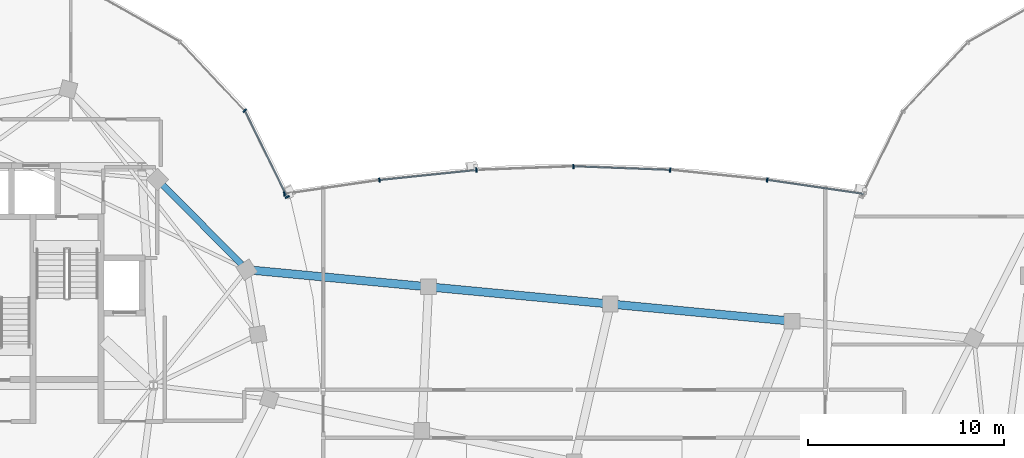
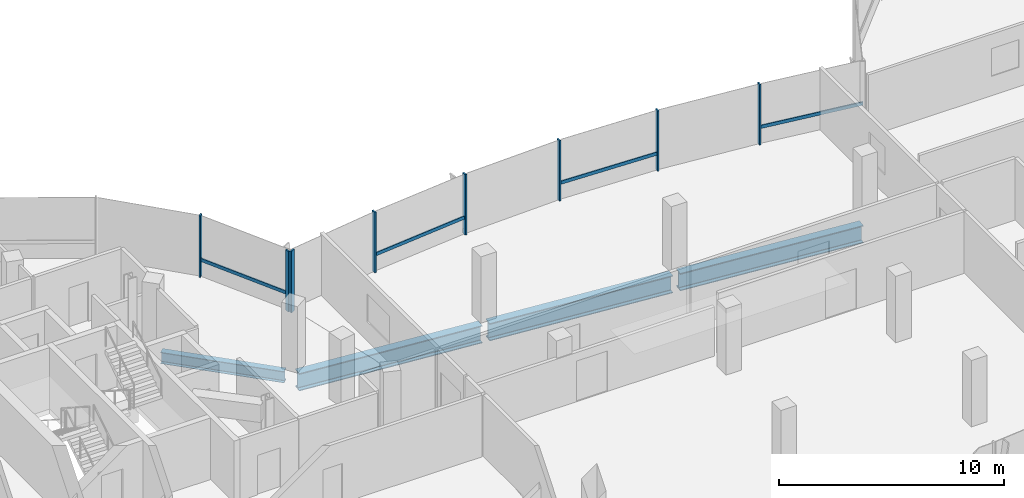
# One storey, part 7 of 26: 12 members, 4 beams, 2 elements without a shape of their own.
"""IFC4 building model written with IfcOpenShell, lengths in metres."""

from ifc_helpers import new_model, si_unit, direction, frame, origin, origin_2d, place, context, subcontext, project, spatial, rectangle, i_section, extrude, material, material_profile, profile_set, type_object, element, aggregate, save


model = new_model("IFC4")

# Units and contexts
model_context = context("Model", 3, precision=1e-05, world=origin(), true_north=direction((0.0, 1.0)))
body_context = subcontext(model_context, "Body", "Model", "MODEL_VIEW")
ifc_project = project(units=[si_unit("LENGTHUNIT", "METRE"), si_unit("AREAUNIT", "SQUARE_METRE"), si_unit("VOLUMEUNIT", "CUBIC_METRE"), si_unit("PLANEANGLEUNIT", "RADIAN"), si_unit("MASSUNIT", "GRAM", prefix="KILO"), si_unit("THERMODYNAMICTEMPERATUREUNIT", "KELVIN"), si_unit("POWERUNIT", "WATT")], contexts=[model_context])

# Site, building, storey
site_placement = place(None, origin())
site = spatial("IfcSite", under=ifc_project, at=site_placement, CompositionType="ELEMENT")
building_placement = place(site_placement, origin())
building = spatial("IfcBuilding", under=site, at=building_placement, Name="Cundina Bronze Exchange", CompositionType="ELEMENT")
storey_placement = place(building_placement, frame((0.0, 0.0, 243.199951171875)))
storey = spatial("IfcBuildingStorey", under=building, at=storey_placement, Name="L64", CompositionType="ELEMENT", Elevation=243.199951171875)

# Beams
ifc_material_1 = material(Name="Steel ASTM A992 Grade 50", Category="steel")
ifc_material_profile_1 = material_profile(ifc_material_1, i_section(OverallWidth=0.324951171875, OverallDepth=0.615966796875, WebThickness=0.013916015625, FlangeThickness=0.021484375, FilletRadius=0.01611328125, at=origin_2d()), Name="W24X117", Category="steel")
ifc_profile_set_1 = profile_set([ifc_material_profile_1], Name="Steel ASTM A992 Grade 50")
beam_type_1 = type_object("IfcBeamType", Name="BM-RING-W24", PredefinedType="USERDEFINED", material=ifc_profile_set_1)
beam_1_placement = place(storey_placement, frame((-16.972900390625, 10.075927734375, -0.56787109375), z_axis=(-0.703237257446, 0.710955244541, 0.0), x_axis=(-0.710955244541, -0.703237257446, 0.0)))
element("IfcBeam", 1, at=beam_1_placement, inside=storey, type_object=beam_type_1, Name="L64 W Perimeter Ring Girder 02", ObjectType="GIRDER", PredefinedType="USERDEFINED", context=body_context, shape_type="SweptSolid", body=[
    extrude(i_section(OverallWidth=0.324951171875, OverallDepth=0.615966796875, WebThickness=0.013916015625, FlangeThickness=0.021484375, FilletRadius=0.01611328125, at=origin_2d()), origin(), (0.0, 0.0, 1.0), 5.69384765625),
])
ifc_material_profile_2 = material_profile(ifc_material_1, i_section(OverallWidth=0.423095703125, OverallDepth=0.947998046875, WebThickness=0.02392578125, FlangeThickness=0.042724609375, FilletRadius=0.02392578125, at=origin_2d()), Name="W36X302", Category="steel")
ifc_profile_set_2 = profile_set([ifc_material_profile_2], Name="Steel ASTM A992 Grade 50")
beam_type_2 = type_object("IfcBeamType", Name="BM-WRN-W36A", PredefinedType="USERDEFINED", material=ifc_profile_set_2)
beam_2_placement = place(storey_placement, frame((-16.520751953125, 9.783203125, -0.7939453125), z_axis=(0.995572136276, -0.094000646124, 0.0), x_axis=(0.094000646124, 0.995572136276, 0.0)))
element("IfcBeam", 2, at=beam_2_placement, inside=storey, type_object=beam_type_2, Name="L64 Sky-Gate Longitudinal Girder Y3-P1", ObjectType="GIRDER", PredefinedType="USERDEFINED", context=body_context, shape_type="SweptSolid", body=[
    extrude(i_section(OverallWidth=0.423095703125, OverallDepth=0.947998046875, WebThickness=0.02392578125, FlangeThickness=0.042724609375, FilletRadius=0.02392578125, at=origin_2d()), origin(), (0.0, 0.0, 1.0), 8.949951171875),
])
beam_3_placement = place(storey_placement, frame((-7.251953125, 8.908203125, -0.7939453125), z_axis=(0.995571895232, -0.094003199007, 0.0), x_axis=(0.094003199007, 0.995571895232, 0.0)))
element("IfcBeam", 3, at=beam_3_placement, inside=storey, type_object=beam_type_2, Name="L64 Sky-Gate Longitudinal Girder Y3-P2", ObjectType="GIRDER", PredefinedType="USERDEFINED", context=body_context, shape_type="SweptSolid", body=[
    extrude(i_section(OverallWidth=0.423095703125, OverallDepth=0.947998046875, WebThickness=0.02392578125, FlangeThickness=0.042724609375, FilletRadius=0.02392578125, at=origin_2d()), origin(), (0.0, 0.0, 1.0), 8.94970703125),
])
beam_4_placement = place(storey_placement, frame((2.0166015625, 8.033203125, -0.7939453125), z_axis=(0.995572136276, -0.094000646124, 0.0), x_axis=(0.094000646124, 0.995572136276, 0.0)))
element("IfcBeam", 4, at=beam_4_placement, inside=storey, type_object=beam_type_2, Name="L64 Sky-Gate Longitudinal Girder Y3-P3", ObjectType="GIRDER", PredefinedType="USERDEFINED", context=body_context, shape_type="SweptSolid", body=[
    extrude(i_section(OverallWidth=0.423095703125, OverallDepth=0.947998046875, WebThickness=0.02392578125, FlangeThickness=0.042724609375, FilletRadius=0.02392578125, at=origin_2d()), origin(), (0.0, 0.0, 1.0), 8.949951171875),
])

# Curtain wall, members
ifc_material_2 = material(Name="Anodised Bronze Aluminium 6063-T6", Category="aluminium")
curtain_wall_type = type_object("IfcCurtainWallType", Name="CWS-SKG-BRG", PredefinedType="NOTDEFINED", material=ifc_material_2)
curtain_wall_1_placement = place(storey_placement, origin())
curtain_wall_1 = element("IfcCurtainWall", 5, at=curtain_wall_1_placement, inside=storey, type_object=curtain_wall_type, Name="L64 CW-06 Curtain Wall Run CWR-L64-W1", PredefinedType="NOTDEFINED")
ifc_material_profile_3 = material_profile(ifc_material_2, rectangle(XDim=0.074951171875, YDim=0.219970703125, at=origin_2d()), Name="AL75X220", Category="aluminium")
ifc_profile_set_3 = profile_set([ifc_material_profile_3], Name="Anodised Bronze Aluminium 6063-T6")
member_type_1 = type_object("IfcMemberType", Name="CWM-MUL-220", PredefinedType="MULLION", material=ifc_profile_set_3)
member_1_placement = place(storey_placement, frame((-14.630859375, 13.50390625, 0.0), z_axis=(0.0, 0.0, 1.0), x_axis=(-0.440566004113, 0.897720221461, 0.0)))
member_1 = element("IfcMember", 6, at=member_1_placement, type_object=member_type_1, Name="CW-06 Mullion 1", PredefinedType="MULLION", context=body_context, shape_type="SweptSolid", body=[
    extrude(rectangle(XDim=0.074951171875, YDim=0.219970703125, at=origin_2d()), origin(), (0.0, 0.0, 1.0), 3.340087890625),
])
member_2_placement = place(storey_placement, frame((-16.8037109375, 17.910400390625, 0.0), z_axis=(0.0, 0.0, 1.0), x_axis=(-0.684292606175, 0.729207535023, 0.0)))
member_2 = element("IfcMember", 7, at=member_2_placement, type_object=member_type_1, Name="CW-06 Mullion 2", PredefinedType="MULLION", context=body_context, shape_type="SweptSolid", body=[
    extrude(rectangle(XDim=0.074951171875, YDim=0.219970703125, at=origin_2d()), origin(), (0.0, 0.0, 1.0), 3.340087890625),
])

curtain_wall_2_placement = place(storey_placement, origin())
curtain_wall_2 = element("IfcCurtainWall", 8, at=curtain_wall_2_placement, inside=storey, type_object=curtain_wall_type, Name="L64 CW-06 Curtain Wall Run CWR-L64-BRGN", PredefinedType="NOTDEFINED")
member_3_placement = place(storey_placement, frame((9.83447265625, 14.378173828125, 0.0), z_axis=(0.0, 0.0, 1.0), x_axis=(-0.994666875153, 0.103139747302, 0.0)))
member_3 = element("IfcMember", 9, at=member_3_placement, type_object=member_type_1, Name="CW-06 Mullion 2", PredefinedType="MULLION", context=body_context, shape_type="SweptSolid", body=[
    extrude(rectangle(XDim=0.074951171875, YDim=0.219970703125, at=origin_2d()), origin(), (0.0, 0.0, 1.0), 3.280029296875),
])
member_4_placement = place(storey_placement, frame((4.892578125, 14.88720703125, 0.0), z_axis=(0.0, 0.0, 1.0), x_axis=(-0.999302568116, 0.037341362551, 0.0)))
member_4 = element("IfcMember", 10, at=member_4_placement, type_object=member_type_1, Name="CW-06 Mullion 3", PredefinedType="MULLION", context=body_context, shape_type="SweptSolid", body=[
    extrude(rectangle(XDim=0.074951171875, YDim=0.219970703125, at=origin_2d()), origin(), (0.0, 0.0, 1.0), 3.280029296875),
])
member_5_placement = place(storey_placement, frame((-0.047607421875, 15.068115234375, 0.0), z_axis=(0.0, 0.0, 1.0), x_axis=(-0.999302568116, -0.037341362551, 0.0)))
member_5 = element("IfcMember", 11, at=member_5_placement, type_object=member_type_1, Name="CW-06 Mullion 4", PredefinedType="MULLION", context=body_context, shape_type="SweptSolid", body=[
    extrude(rectangle(XDim=0.074951171875, YDim=0.219970703125, at=origin_2d()), origin(), (0.0, 0.0, 1.0), 3.280029296875),
])
member_6_placement = place(storey_placement, frame((-4.98876953125, 14.88037109375, 0.0), z_axis=(0.0, 0.0, 1.0), x_axis=(-0.994666875153, -0.103139747302, 0.0)))
member_6 = element("IfcMember", 12, at=member_6_placement, type_object=member_type_1, Name="CW-06 Mullion 5", PredefinedType="MULLION", context=body_context, shape_type="SweptSolid", body=[
    extrude(rectangle(XDim=0.074951171875, YDim=0.219970703125, at=origin_2d()), origin(), (0.0, 0.0, 1.0), 3.280029296875),
])
member_7_placement = place(storey_placement, frame((-9.93310546875, 14.36572265625, 0.0), z_axis=(0.0, 0.0, 1.0), x_axis=(-0.989525789069, -0.144356201001, 0.0)))
member_7 = element("IfcMember", 13, at=member_7_placement, type_object=member_type_1, Name="CW-06 Mullion 6", PredefinedType="MULLION", context=body_context, shape_type="SweptSolid", body=[
    extrude(rectangle(XDim=0.074951171875, YDim=0.219970703125, at=origin_2d()), origin(), (0.0, 0.0, 1.0), 3.280029296875),
])
member_8_placement = place(storey_placement, frame((-14.779296875, 13.658935546875, 0.0), z_axis=(0.0, 0.0, 1.0), x_axis=(-0.989525789069, -0.144356201001, 0.0)))
member_8 = element("IfcMember", 14, at=member_8_placement, type_object=member_type_1, Name="CW-06 End Mullion", PredefinedType="MULLION", context=body_context, shape_type="SweptSolid", body=[
    extrude(rectangle(XDim=0.074951171875, YDim=0.219970703125, at=origin_2d()), origin(), (0.0, 0.0, 1.0), 3.280029296875),
])

# Member
ifc_material_profile_4 = material_profile(ifc_material_2, rectangle(XDim=0.070068359375, YDim=0.179931640625, at=origin_2d()), Name="AL70X180", Category="aluminium")
ifc_profile_set_4 = profile_set([ifc_material_profile_4], Name="Anodised Bronze Aluminium 6063-T6")
member_type_2 = type_object("IfcMemberType", Name="CWM-TRN-180", PredefinedType="USERDEFINED", material=ifc_profile_set_4)
member_9_placement = place(storey_placement, frame((-14.64892578125, 13.541015625, 0.920166015625), z_axis=(-0.440554408939, 0.897725911826, 0.0), x_axis=(-0.897725911826, -0.440554408939, 0.0)))
member_9 = element("IfcMember", 15, at=member_9_placement, type_object=member_type_2, Name="CW-06 Spandrel Transom 1", ObjectType="TRANSOM", PredefinedType="USERDEFINED", context=body_context, shape_type="SweptSolid", body=[
    extrude(rectangle(XDim=0.070068359375, YDim=0.179931640625, at=origin_2d()), origin(), (0.0, 0.0, 1.0), 4.848388671875),
])

aggregate(curtain_wall_1, [member_1, member_9, member_2])

member_10_placement = place(storey_placement, frame((14.738525390625, 13.664794921875, 0.91845703125), z_axis=(-0.989531497997, 0.144317062302, 0.0), x_axis=(-0.144317062302, -0.989531497997, 0.0)))
member_10 = element("IfcMember", 16, at=member_10_placement, type_object=member_type_2, Name="CW-06 Spandrel Transom 1", ObjectType="TRANSOM", PredefinedType="USERDEFINED", context=body_context, shape_type="SweptSolid", body=[
    extrude(rectangle(XDim=0.070068359375, YDim=0.179931640625, at=origin_2d()), origin(), (0.0, 0.0, 1.0), 4.8974609375),
])

member_11_placement = place(storey_placement, frame((4.8515625, 14.888671875, 0.91845703125), z_axis=(-0.999303683555, 0.037311500026, 0.0), x_axis=(-0.037311500026, -0.999303683555, 0.0)))
member_11 = element("IfcMember", 17, at=member_11_placement, type_object=member_type_2, Name="CW-06 Spandrel Transom 3", ObjectType="TRANSOM", PredefinedType="USERDEFINED", context=body_context, shape_type="SweptSolid", body=[
    extrude(rectangle(XDim=0.070068359375, YDim=0.179931640625, at=origin_2d()), origin(), (0.0, 0.0, 1.0), 4.8486328125),
])

member_12_placement = place(storey_placement, frame((-5.02978515625, 14.8759765625, 0.91845703125), z_axis=(-0.994672497027, -0.103085516243, 0.0), x_axis=(0.103085516243, -0.994672497027, 0.0)))
member_12 = element("IfcMember", 18, at=member_12_placement, type_object=member_type_2, Name="CW-06 Spandrel Transom 5", ObjectType="TRANSOM", PredefinedType="USERDEFINED", context=body_context, shape_type="SweptSolid", body=[
    extrude(rectangle(XDim=0.070068359375, YDim=0.179931640625, at=origin_2d()), origin(), (0.0, 0.0, 1.0), 4.87158203125),
])

aggregate(curtain_wall_2, [member_10, member_3, member_4, member_11, member_5, member_6, member_12, member_7, member_8])

save(model, "model.ifc")
